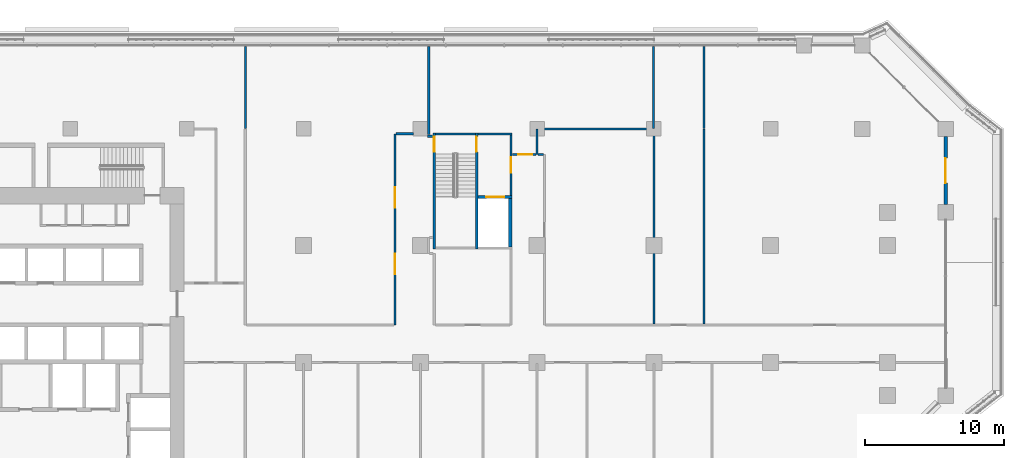
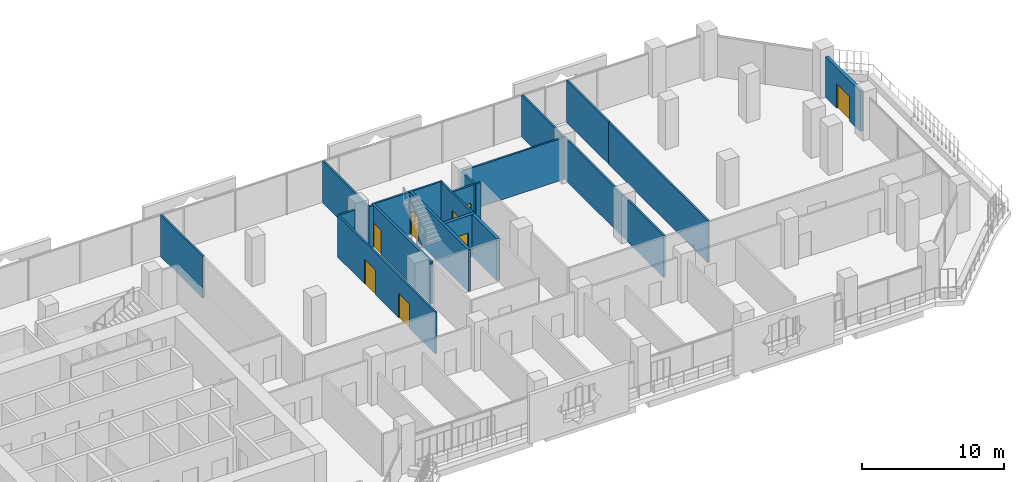
# One storey, part 19 of 29: 21 walls, 8 doors, 8 openings.
"""IFC4 building model written with IfcOpenShell, lengths in metres."""

from ifc_helpers import new_model, si_unit, direction, frame, frame_2d, origin, place, context, subcontext, project, spatial, rectangle, extrude, material, layer, layer_set, type_object, element, fill, save


model = new_model("IFC4")

# Units and contexts
model_context = context("Model", 3, precision=1e-05, world=origin(), true_north=direction((0.0, 1.0)))
body_context = subcontext(model_context, "Body", "Model", "MODEL_VIEW")
ifc_project = project(units=[si_unit("LENGTHUNIT", "METRE"), si_unit("AREAUNIT", "SQUARE_METRE"), si_unit("VOLUMEUNIT", "CUBIC_METRE"), si_unit("PLANEANGLEUNIT", "RADIAN"), si_unit("MASSUNIT", "GRAM", prefix="KILO")], contexts=[model_context])

# Site, building, storey
site_placement = place(None, origin())
site = spatial("IfcSite", under=ifc_project, at=site_placement, CompositionType="ELEMENT")
building_placement = place(site_placement, origin())
building = spatial("IfcBuilding", under=site, at=building_placement, Name="Kawkab Arch Medical Tower", CompositionType="ELEMENT")
storey_placement = place(building_placement, frame((0.0, 0.0, 107.199951171875)))
storey = spatial("IfcBuildingStorey", under=building, at=storey_placement, Name="L24", CompositionType="ELEMENT", Elevation=107.199951171875)

# Wall, opening, door
ifc_material_1 = material(Name="Gypsum board on steel studs", Category="steel")
ifc_layer_1 = layer(ifc_material_1, 0.14990234375)
ifc_layer_set_1 = layer_set([ifc_layer_1], Name="Gypsum board on steel studs")
wall_type_1 = type_object("IfcWallType", Name="Core room partition 150", PredefinedType="PARTITIONING", material=ifc_layer_set_1)
wall_1_placement = place(storey_placement, frame((48.52490234375, -4.77490234375, 0.0), z_axis=(0.0, 0.0, 1.0), x_axis=(0.0, 1.0, 0.0)))
wall_1 = element("IfcWall", 1, at=wall_1_placement, inside=storey, type_object=wall_type_1, Name="L24 core room partition", PredefinedType="PARTITIONING", context=body_context, shape_type="SweptSolid", body=[
    extrude(rectangle(XDim=4.324951171875, YDim=0.14990234375, at=frame_2d((2.16259765625, 0.0))), origin(), (0.0, 0.0, 1.0), 3.60009765625),
])
opening_1_placement = place(wall_1_placement, frame((1.625, 0.0, 0.0)))
opening_1 = element("IfcOpeningElement", 2, at=opening_1_placement, cuts=wall_1, Name="Opening FD", PredefinedType="OPENING", context=body_context, shape_type="SweptSolid", body=[
    extrude(rectangle(XDim=1.10009765625, YDim=2.10009765625, at=frame_2d((0.550048828125, 1.050048828125))), frame((0.0, 0.0849609375, 0.0), z_axis=(0.0, -1.0, 0.0), x_axis=(1.0, 0.0, 0.0)), (0.0, 0.0, 1.0), 0.169921875),
])
ifc_material_2 = material(Name="Hollow metal fire door leaf")
door_type_1 = type_object("IfcDoorType", Name="Firefighting lobby door 1100", OperationType="SINGLE_SWING_LEFT", PredefinedType="DOOR", material=ifc_material_2)
door_1_placement = place(opening_1_placement, origin())
door_1 = element("IfcDoor", 3, at=door_1_placement, inside=storey, type_object=door_type_1, Name="L24 Service lift lobby door SV1", OperationType="SINGLE_SWING_LEFT", OverallHeight=2.10009765625, OverallWidth=1.10009765625, PredefinedType="DOOR", context=body_context, shape_type="SweptSolid", body=[
    extrude(rectangle(XDim=1.10009765625, YDim=2.10009765625, at=frame_2d((0.550048828125, 1.050048828125))), frame((0.0, 0.02490234375, 0.0), z_axis=(0.0, -1.0, 0.0), x_axis=(1.0, 0.0, 0.0)), (0.0, 0.0, 1.0), 0.050048828125),
])
fill(opening_1, door_1)

ifc_material_3 = material(Name="Concrete C60/75", Category="concrete")
ifc_layer_2 = layer(ifc_material_3, 0.25)
ifc_layer_set_2 = layer_set([ifc_layer_2], Name="Concrete C60/75")
wall_type_2 = type_object("IfcWallType", Name="Core shear wall 250 C60/75", PredefinedType="SHEAR", material=ifc_layer_set_2)
wall_2_placement = place(storey_placement, frame((46.14990234375, -4.89990234375, 0.0), z_axis=(0.0, 0.0, 1.0), x_axis=(1.0, 0.0, 0.0)))
wall_2 = element("IfcWall", 4, at=wall_2_placement, inside=storey, type_object=wall_type_2, Name="L24 core shear wall", PredefinedType="SHEAR", context=body_context, shape_type="SweptSolid", body=[
    extrude(rectangle(XDim=2.4501953125, YDim=0.25, at=frame_2d((1.22509765625, 0.0))), origin(), (0.0, 0.0, 1.0), 3.60009765625),
])
opening_2_placement = place(wall_2_placement, frame((0.60009765625, 0.0, 0.0)))
opening_2 = element("IfcOpeningElement", 5, at=opening_2_placement, cuts=wall_2, Name="Opening LD2", PredefinedType="OPENING", context=body_context, shape_type="SweptSolid", body=[
    extrude(rectangle(XDim=1.300048828125, YDim=2.10009765625, at=frame_2d((0.64990234375, 1.050048828125))), frame((0.0, 0.135009765625, 0.0), z_axis=(0.0, -1.0, 0.0), x_axis=(1.0, 0.0, 0.0)), (0.0, 0.0, 1.0), 0.27001953125),
])
ifc_material_4 = material(Name="Stainless steel lift door leaf", Category="steel")
door_type_2 = type_object("IfcDoorType", Name="Lift landing door 1300", OperationType="DOUBLE_DOOR_SLIDING", PredefinedType="DOOR", material=ifc_material_4)
door_2_placement = place(opening_2_placement, origin())
door_2 = element("IfcDoor", 6, at=door_2_placement, inside=storey, type_object=door_type_2, Name="L24 Lift landing door SV1", OperationType="DOUBLE_DOOR_SLIDING", OverallHeight=2.10009765625, OverallWidth=1.300048828125, PredefinedType="DOOR", context=body_context, shape_type="SweptSolid", body=[
    extrude(rectangle(XDim=1.300048828125, YDim=2.10009765625, at=frame_2d((0.64990234375, 1.050048828125))), frame((0.0, 0.02490234375, 0.0), z_axis=(0.0, -1.0, 0.0), x_axis=(1.0, 0.0, 0.0)), (0.0, 0.0, 1.0), 0.050048828125),
])
fill(opening_2, door_2)

# Wall
wall_3_placement = place(storey_placement, frame((48.47509765625, -8.5, 0.0), z_axis=(0.0, 0.0, 1.0), x_axis=(0.0, 1.0, 0.0)))
element("IfcWall", 7, at=wall_3_placement, inside=storey, type_object=wall_type_2, Name="L24 core shear wall", PredefinedType="SHEAR", context=body_context, shape_type="SweptSolid", body=[
    extrude(rectangle(XDim=3.47509765625, YDim=0.25, at=frame_2d((1.737548828125, 0.0))), origin(), (0.0, 0.0, 1.0), 3.60009765625),
])

# Wall, opening, door
ifc_material_5 = material(Name="Bronze clad insulated wall panel")
ifc_layer_3 = layer(ifc_material_5, 0.25)
ifc_layer_set_3 = layer_set([ifc_layer_3], Name="Bronze clad insulated wall panel")
wall_type_3 = type_object("IfcWallType", Name="External wall bay 250", PredefinedType="SOLIDWALL", material=ifc_layer_set_3)
wall_4_placement = place(storey_placement, frame((79.800048828125, -5.449951171875, 0.0), z_axis=(0.0, 0.0, 1.0), x_axis=(0.0, 1.0, 0.0)))
wall_4 = element("IfcWall", 8, at=wall_4_placement, inside=storey, type_object=wall_type_3, Name="External wall bay L24.R09.2.1", PredefinedType="SOLIDWALL", context=body_context, shape_type="SweptSolid", body=[
    extrude(rectangle(XDim=4.89990234375, YDim=0.25, at=frame_2d((2.449951171875, 0.0))), origin(), (0.0, 0.0, 1.0), 3.47998046875),
])
opening_3_placement = place(wall_4_placement, frame((1.550048828125, 0.0, 0.0)))
opening_3 = element("IfcOpeningElement", 9, at=opening_3_placement, cuts=wall_4, Name="Opening B24-701", PredefinedType="OPENING", context=body_context, shape_type="SweptSolid", body=[
    extrude(rectangle(XDim=1.800048828125, YDim=2.10009765625, at=frame_2d((0.89990234375, 1.050048828125))), frame((0.0, 0.135009765625, 0.0), z_axis=(0.0, -1.0, 0.0), x_axis=(1.0, 0.0, 0.0)), (0.0, 0.0, 1.0), 0.27001953125),
])
ifc_material_6 = material(Name="Bronze anodised aluminium door with tinted glass", Category="aluminium")
door_type_3 = type_object("IfcDoorType", Name="Double external door 1800 x 2100", OperationType="DOUBLE_DOOR_SINGLE_SWING", PredefinedType="DOOR", material=ifc_material_6)
door_3_placement = place(opening_3_placement, origin())
door_3 = element("IfcDoor", 10, at=door_3_placement, inside=storey, type_object=door_type_3, Name="External door L24.R09.2.1", OperationType="DOUBLE_DOOR_SINGLE_SWING", OverallHeight=2.10009765625, OverallWidth=1.800048828125, PredefinedType="DOOR", context=body_context, shape_type="SweptSolid", body=[
    extrude(rectangle(XDim=1.800048828125, YDim=2.10009765625, at=frame_2d((0.89990234375, 1.050048828125))), frame((0.0, 0.02490234375, 0.0), z_axis=(0.0, -1.0, 0.0), x_axis=(1.0, 0.0, 0.0)), (0.0, 0.0, 1.0), 0.050048828125),
])
fill(opening_3, door_3)

ifc_material_7 = material(Name="Gypsum board partition on steel studs, mineral wool", Category="steel")
ifc_layer_4 = layer(ifc_material_7, 0.14990234375)
ifc_layer_set_4 = layer_set([ifc_layer_4], Name="Gypsum board partition on steel studs, mineral wool")
wall_type_4 = type_object("IfcWallType", Name="Partition 150", PredefinedType="PARTITIONING", material=ifc_layer_set_4)
wall_5_placement = place(storey_placement, frame((48.6298828125, -1.85009765625, 0.0), z_axis=(0.0, 0.0, 1.0), x_axis=(1.0, 0.0, 0.0)))
wall_5 = element("IfcWall", 11, at=wall_5_placement, inside=storey, type_object=wall_type_4, Name="Partition 150 w017", PredefinedType="PARTITIONING", context=body_context, shape_type="SweptSolid", body=[
    extrude(rectangle(XDim=1.675048828125, YDim=0.14990234375, at=frame_2d((0.83740234375, 0.0))), origin(), (0.0, 0.0, 1.0), 3.60009765625),
])
opening_4_placement = place(wall_5_placement, frame((0.409912109375, 0.0, 0.0)))
opening_4 = element("IfcOpeningElement", 12, at=opening_4_placement, cuts=wall_5, Name="Opening B24-026", PredefinedType="OPENING", context=body_context, shape_type="SweptSolid", body=[
    extrude(rectangle(XDim=1.0, YDim=2.10009765625, at=frame_2d((0.5, 1.050048828125))), frame((0.0, 0.0849609375, 0.0), z_axis=(0.0, -1.0, 0.0), x_axis=(1.0, 0.0, 0.0)), (0.0, 0.0, 1.0), 0.169921875),
])
ifc_material_8 = material(Name="Hollow metal door leaf")
door_type_4 = type_object("IfcDoorType", Name="Single door 1000x2100 FD30S", OperationType="NOTDEFINED", PredefinedType="DOOR", material=ifc_material_8)
door_4_placement = place(opening_4_placement, origin())
door_4 = element("IfcDoor", 13, at=door_4_placement, inside=storey, type_object=door_type_4, Name="Door B24-026", OperationType="SINGLE_SWING_RIGHT", OverallHeight=2.10009765625, OverallWidth=1.0, PredefinedType="DOOR", context=body_context, shape_type="SweptSolid", body=[
    extrude(rectangle(XDim=1.0, YDim=2.10009765625, at=frame_2d((0.5, 1.050048828125))), frame((0.0, 0.02490234375, 0.0), z_axis=(0.0, -1.0, 0.0), x_axis=(1.0, 0.0, 0.0)), (0.0, 0.0, 1.0), 0.050048828125),
])
fill(opening_4, door_4)

# Walls
wall_6_placement = place(storey_placement, frame((50.47509765625, -1.85009765625, 0.0), z_axis=(0.0, 0.0, 1.0), x_axis=(1.0, 0.0, 0.0)))
element("IfcWall", 14, at=wall_6_placement, inside=storey, type_object=wall_type_4, Name="Partition 150 w018", PredefinedType="PARTITIONING", context=body_context, shape_type="SweptSolid", body=[
    extrude(rectangle(XDim=0.375, YDim=0.14990234375, at=frame_2d((0.1875, 0.0))), origin(), (0.0, 0.0, 1.0), 3.60009765625),
])
wall_7_placement = place(storey_placement, frame((42.52587890625, -0.52490234375, 0.0), z_axis=(0.0, 0.0, 1.0), x_axis=(1.0, 0.0, 0.0)))
element("IfcWall", 15, at=wall_7_placement, inside=storey, type_object=wall_type_4, Name="Partition 150 w019", PredefinedType="PARTITIONING", context=body_context, shape_type="SweptSolid", body=[
    extrude(rectangle(XDim=0.35302734375, YDim=0.14990234375, at=frame_2d((0.176513671875, 0.0))), origin(), (0.0, 0.0, 1.0), 3.60009765625),
])
wall_8_placement = place(storey_placement, frame((40.259033203125, -0.35009765625, 0.0), z_axis=(0.0, 0.0, 1.0), x_axis=(1.0, 0.0, 0.0)))
element("IfcWall", 16, at=wall_8_placement, inside=storey, type_object=wall_type_4, Name="Partition 150 w020", PredefinedType="PARTITIONING", context=body_context, shape_type="SweptSolid", body=[
    extrude(rectangle(XDim=1.22900390625, YDim=0.14990234375, at=frame_2d((0.614501953125, 0.0))), origin(), (0.0, 0.0, 1.0), 3.60009765625),
])
wall_9_placement = place(storey_placement, frame((50.47509765625, 0.0, 0.0), z_axis=(0.0, 0.0, 1.0), x_axis=(1.0, 0.0, 0.0)))
element("IfcWall", 17, at=wall_9_placement, inside=storey, type_object=wall_type_4, Name="Partition 150 w022", PredefinedType="PARTITIONING", context=body_context, shape_type="SweptSolid", body=[
    extrude(rectangle(XDim=8.2099609375, YDim=0.14990234375, at=frame_2d((4.10498046875, 0.0))), origin(), (0.0, 0.0, 1.0), 3.60009765625),
])
wall_10_placement = place(storey_placement, frame((29.419921875, 0.02001953125, 0.0), z_axis=(0.0, 0.0, 1.0), x_axis=(0.0, 1.0, 0.0)))
element("IfcWall", 18, at=wall_10_placement, inside=storey, type_object=wall_type_4, Name="Partition 150 w035", PredefinedType="PARTITIONING", context=body_context, shape_type="SweptSolid", body=[
    extrude(rectangle(XDim=5.89990234375, YDim=0.14990234375, at=frame_2d((2.949951171875, 0.0))), origin(), (0.0, 0.0, 1.0), 3.60009765625),
])

# Wall, openings, doors
wall_11_placement = place(storey_placement, frame((40.181884765625, -14.10009765625, 0.0), z_axis=(0.0, 0.0, 1.0), x_axis=(0.0, 1.0, 0.0)))
wall_11 = element("IfcWall", 19, at=wall_11_placement, inside=storey, type_object=wall_type_4, Name="Partition 150 w038", PredefinedType="PARTITIONING", context=body_context, shape_type="SweptSolid", body=[
    extrude(rectangle(XDim=13.748046875, YDim=0.14990234375, at=frame_2d((6.8740234375, 0.0))), origin(), (0.0, 0.0, 1.0), 3.60009765625),
])
opening_5_placement = place(wall_11_placement, frame((3.633056640625, 0.0, 0.0)))
opening_5 = element("IfcOpeningElement", 20, at=opening_5_placement, cuts=wall_11, Name="Opening B24-003", PredefinedType="OPENING", context=body_context, shape_type="SweptSolid", body=[
    extrude(rectangle(XDim=1.5, YDim=2.10009765625, at=frame_2d((0.75, 1.050048828125))), frame((0.0, 0.0849609375, 0.0), z_axis=(0.0, -1.0, 0.0), x_axis=(1.0, 0.0, 0.0)), (0.0, 0.0, 1.0), 0.169921875),
])
opening_6_placement = place(wall_11_placement, frame((8.4150390625, 0.0, 0.0)))
opening_6 = element("IfcOpeningElement", 21, at=opening_6_placement, cuts=wall_11, Name="Opening B24-004", PredefinedType="OPENING", context=body_context, shape_type="SweptSolid", body=[
    extrude(rectangle(XDim=1.5, YDim=2.10009765625, at=frame_2d((0.75, 1.050048828125))), frame((0.0, 0.0849609375, 0.0), z_axis=(0.0, -1.0, 0.0), x_axis=(1.0, 0.0, 0.0)), (0.0, 0.0, 1.0), 0.169921875),
])
ifc_material_9 = material(Name="Hollow metal door leaf")
door_type_5 = type_object("IfcDoorType", Name="Double door 1500x2100 FD30S", OperationType="NOTDEFINED", PredefinedType="DOOR", material=ifc_material_9)
door_5_placement = place(opening_5_placement, origin())
door_5 = element("IfcDoor", 22, at=door_5_placement, inside=storey, type_object=door_type_5, Name="Door B24-003", OperationType="DOUBLE_DOOR_SINGLE_SWING", OverallHeight=2.10009765625, OverallWidth=1.5, PredefinedType="DOOR", context=body_context, shape_type="SweptSolid", body=[
    extrude(rectangle(XDim=1.5, YDim=2.10009765625, at=frame_2d((0.75, 1.050048828125))), frame((0.0, 0.02490234375, 0.0), z_axis=(0.0, -1.0, 0.0), x_axis=(1.0, 0.0, 0.0)), (0.0, 0.0, 1.0), 0.050048828125),
])
fill(opening_5, door_5)
door_6_placement = place(opening_6_placement, origin())
door_6 = element("IfcDoor", 23, at=door_6_placement, inside=storey, type_object=door_type_5, Name="Door B24-004", OperationType="DOUBLE_DOOR_SINGLE_SWING", OverallHeight=2.10009765625, OverallWidth=1.5, PredefinedType="DOOR", context=body_context, shape_type="SweptSolid", body=[
    extrude(rectangle(XDim=1.5, YDim=2.10009765625, at=frame_2d((0.75, 1.050048828125))), frame((0.0, 0.02490234375, 0.0), z_axis=(0.0, -1.0, 0.0), x_axis=(1.0, 0.0, 0.0)), (0.0, 0.0, 1.0), 0.050048828125),
])
fill(opening_6, door_6)

# Walls
wall_12_placement = place(storey_placement, frame((42.60009765625, -0.389892578125, 0.0), z_axis=(0.0, 0.0, 1.0), x_axis=(0.0, 1.0, 0.0)))
element("IfcWall", 24, at=wall_12_placement, inside=storey, type_object=wall_type_4, Name="Partition 150 w041", PredefinedType="PARTITIONING", context=body_context, shape_type="SweptSolid", body=[
    extrude(rectangle(XDim=6.309814453125, YDim=0.14990234375, at=frame_2d((3.15478515625, 0.0))), origin(), (0.0, 0.0, 1.0), 3.60009765625),
])
wall_13_placement = place(storey_placement, frame((50.39990234375, -1.830078125, 0.0), z_axis=(0.0, 0.0, 1.0), x_axis=(0.0, 1.0, 0.0)))
element("IfcWall", 25, at=wall_13_placement, inside=storey, type_object=wall_type_4, Name="Partition 150 w046", PredefinedType="PARTITIONING", context=body_context, shape_type="SweptSolid", body=[
    extrude(rectangle(XDim=1.830078125, YDim=0.14990234375, at=frame_2d((0.9150390625, 0.0))), origin(), (0.0, 0.0, 1.0), 3.60009765625),
])
wall_14_placement = place(storey_placement, frame((58.780029296875, 0.02001953125, 0.0), z_axis=(0.0, 0.0, 1.0), x_axis=(0.0, 1.0, 0.0)))
element("IfcWall", 26, at=wall_14_placement, inside=storey, type_object=wall_type_4, Name="Partition 150 w049", PredefinedType="PARTITIONING", context=body_context, shape_type="SweptSolid", body=[
    extrude(rectangle(XDim=5.89990234375, YDim=0.14990234375, at=frame_2d((2.949951171875, 0.0))), origin(), (0.0, 0.0, 1.0), 3.60009765625),
])
for number, where, z_axis, x_axis, name in (
    (27, (58.800048828125, -14.02490234375, 0.0), (0.0, 0.0, 1.0), (0.0, 1.0, 0.0), "Partition 150 w051"),
    (28, (62.39990234375, -14.02490234375, 0.0), (0.0, 0.0, 1.0), (0.0, 1.0, 0.0), "Partition 150 w052"),
):
    element("IfcWall", number, at=place(storey_placement, frame(where, z_axis=z_axis, x_axis=x_axis)), inside=storey, type_object=wall_type_4, Name=name, PredefinedType="PARTITIONING", context=body_context, shape_type="SweptSolid", body=[
        extrude(rectangle(XDim=14.02294921875, YDim=0.14990234375, at=frame_2d((7.011474609375, 0.0))), origin(), (0.0, 0.0, 1.0), 3.60009765625),
    ])
wall_15_placement = place(storey_placement, frame((62.419921875, 0.02001953125, 0.0), z_axis=(0.0, 0.0, 1.0), x_axis=(0.0, 1.0, 0.0)))
element("IfcWall", 29, at=wall_15_placement, inside=storey, type_object=wall_type_4, Name="Partition 150 w053", PredefinedType="PARTITIONING", context=body_context, shape_type="SweptSolid", body=[
    extrude(rectangle(XDim=5.89990234375, YDim=0.14990234375, at=frame_2d((2.949951171875, 0.0))), origin(), (0.0, 0.0, 1.0), 3.60009765625),
])
ifc_material_10 = material(Name="Concrete C50/60", Category="concrete")
ifc_layer_5 = layer(ifc_material_10, 0.14990234375)
ifc_layer_set_5 = layer_set([ifc_layer_5], Name="Concrete C50/60")
wall_type_5 = type_object("IfcWallType", Name="Stair enclosure wall 150 C50/60", PredefinedType="SHEAR", material=ifc_layer_set_5)
wall_16_placement = place(storey_placement, frame((43.10009765625, -0.375, 0.0), z_axis=(0.0, 0.0, 1.0), x_axis=(1.0, 0.0, 0.0)))
element("IfcWall", 30, at=wall_16_placement, inside=storey, type_object=wall_type_5, Name="L24 stair enclosure wall", PredefinedType="SHEAR", context=body_context, shape_type="SweptSolid", body=[
    extrude(rectangle(XDim=2.849853515625, YDim=0.14990234375, at=frame_2d((1.4248046875, 0.0))), origin(), (0.0, 0.0, 1.0), 3.60009765625),
])
wall_17_placement = place(storey_placement, frame((46.14990234375, -0.375, 0.0), z_axis=(0.0, 0.0, 1.0), x_axis=(1.0, 0.0, 0.0)))
element("IfcWall", 31, at=wall_17_placement, inside=storey, type_object=wall_type_5, Name="L24 stair enclosure wall", PredefinedType="SHEAR", context=body_context, shape_type="SweptSolid", body=[
    extrude(rectangle(XDim=2.4501953125, YDim=0.14990234375, at=frame_2d((1.22509765625, 0.0))), origin(), (0.0, 0.0, 1.0), 3.60009765625),
])

# Wall, opening, door
ifc_material_11 = material(Name="Concrete C50/60", Category="concrete")
ifc_layer_6 = layer(ifc_material_11, 0.199951171875)
ifc_layer_set_6 = layer_set([ifc_layer_6], Name="Concrete C50/60")
wall_type_6 = type_object("IfcWallType", Name="Stair enclosure wall 200 C50/60", PredefinedType="SHEAR", material=ifc_layer_set_6)
wall_18_placement = place(storey_placement, frame((43.0, -8.64990234375, 0.0), z_axis=(0.0, 0.0, 1.0), x_axis=(0.0, 1.0, 0.0)))
wall_18 = element("IfcWall", 32, at=wall_18_placement, inside=storey, type_object=wall_type_6, Name="L24 stair enclosure wall", PredefinedType="SHEAR", context=body_context, shape_type="SweptSolid", body=[
    extrude(rectangle(XDim=8.349853515625, YDim=0.199951171875, at=frame_2d((4.1748046875, 0.0))), origin(), (0.0, 0.0, 1.0), 3.60009765625),
])
opening_7_placement = place(wall_18_placement, frame((7.0, 0.0, 0.0)))
opening_7 = element("IfcOpeningElement", 33, at=opening_7_placement, cuts=wall_18, Name="Opening SD", PredefinedType="OPENING", context=body_context, shape_type="SweptSolid", body=[
    extrude(rectangle(XDim=1.10009765625, YDim=2.10009765625, at=frame_2d((0.550048828125, 1.050048828125))), frame((0.0, 0.10986328125, 0.0), z_axis=(0.0, -1.0, 0.0), x_axis=(1.0, 0.0, 0.0)), (0.0, 0.0, 1.0), 0.219970703125),
])
ifc_material_12 = material(Name="Hollow metal fire door leaf")
door_type_6 = type_object("IfcDoorType", Name="Exit stair door 1100", OperationType="SINGLE_SWING_LEFT", PredefinedType="DOOR", material=ifc_material_12)
door_7_placement = place(opening_7_placement, frame((1.10009765625, 0.0, 0.0), z_axis=(0.0, 0.0, 1.0), x_axis=(-1.0, 0.0, 0.0)))
door_7 = element("IfcDoor", 34, at=door_7_placement, inside=storey, type_object=door_type_6, Name="L24 Exit stair ST5 door", OperationType="SINGLE_SWING_LEFT", OverallHeight=2.10009765625, OverallWidth=1.10009765625, PredefinedType="DOOR", context=body_context, shape_type="SweptSolid", body=[
    extrude(rectangle(XDim=1.10009765625, YDim=2.10009765625, at=frame_2d((0.550048828125, 1.050048828125))), frame((0.0, 0.02490234375, 0.0), z_axis=(0.0, -1.0, 0.0), x_axis=(1.0, 0.0, 0.0)), (0.0, 0.0, 1.0), 0.050048828125),
])
fill(opening_7, door_7)

wall_19_placement = place(storey_placement, frame((46.050048828125, -8.64990234375, 0.0), z_axis=(0.0, 0.0, 1.0), x_axis=(0.0, 1.0, 0.0)))
wall_19 = element("IfcWall", 35, at=wall_19_placement, inside=storey, type_object=wall_type_6, Name="L24 stair enclosure wall", PredefinedType="SHEAR", context=body_context, shape_type="SweptSolid", body=[
    extrude(rectangle(XDim=8.349853515625, YDim=0.199951171875, at=frame_2d((4.1748046875, 0.0))), origin(), (0.0, 0.0, 1.0), 3.60009765625),
])
opening_8_placement = place(wall_19_placement, frame((7.0, 0.0, 0.0)))
opening_8 = element("IfcOpeningElement", 36, at=opening_8_placement, cuts=wall_19, Name="Opening SD", PredefinedType="OPENING", context=body_context, shape_type="SweptSolid", body=[
    extrude(rectangle(XDim=1.10009765625, YDim=2.10009765625, at=frame_2d((0.550048828125, 1.050048828125))), frame((0.0, 0.10986328125, 0.0), z_axis=(0.0, -1.0, 0.0), x_axis=(1.0, 0.0, 0.0)), (0.0, 0.0, 1.0), 0.219970703125),
])
door_8_placement = place(opening_8_placement, origin())
door_8 = element("IfcDoor", 37, at=door_8_placement, inside=storey, type_object=door_type_6, Name="L24 Exit stair ST5 lobby door", OperationType="SINGLE_SWING_LEFT", OverallHeight=2.10009765625, OverallWidth=1.10009765625, PredefinedType="DOOR", context=body_context, shape_type="SweptSolid", body=[
    extrude(rectangle(XDim=1.10009765625, YDim=2.10009765625, at=frame_2d((0.550048828125, 1.050048828125))), frame((0.0, 0.02490234375, 0.0), z_axis=(0.0, -1.0, 0.0), x_axis=(1.0, 0.0, 0.0)), (0.0, 0.0, 1.0), 0.050048828125),
])
fill(opening_8, door_8)

save(model, "model.ifc")
